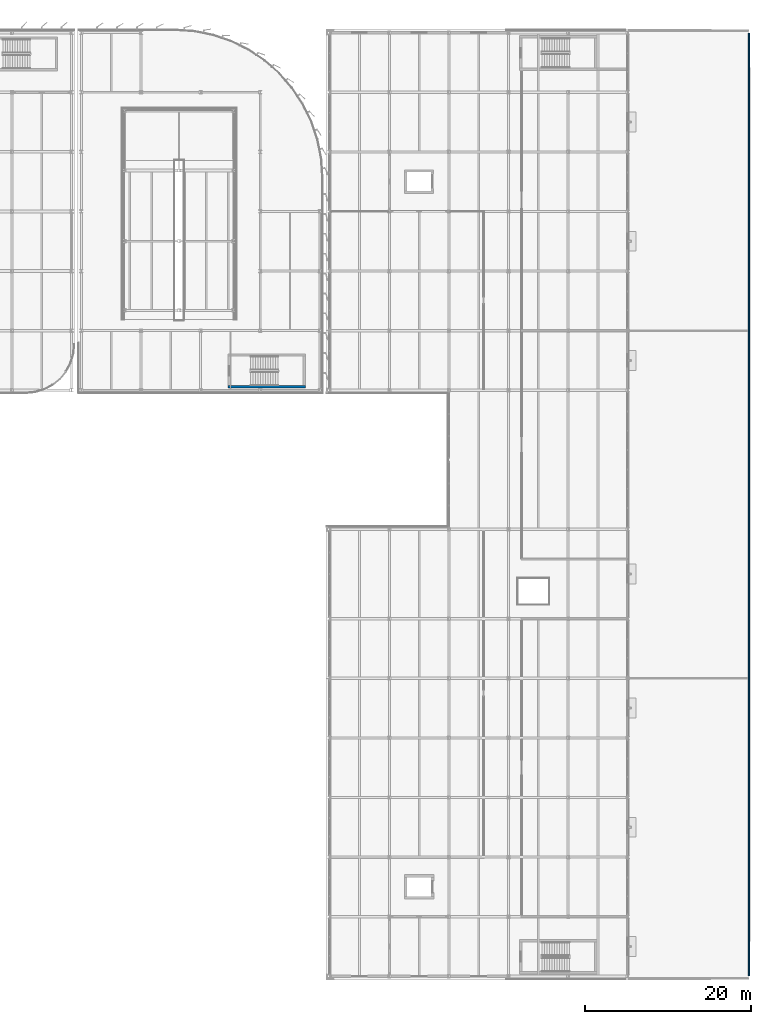
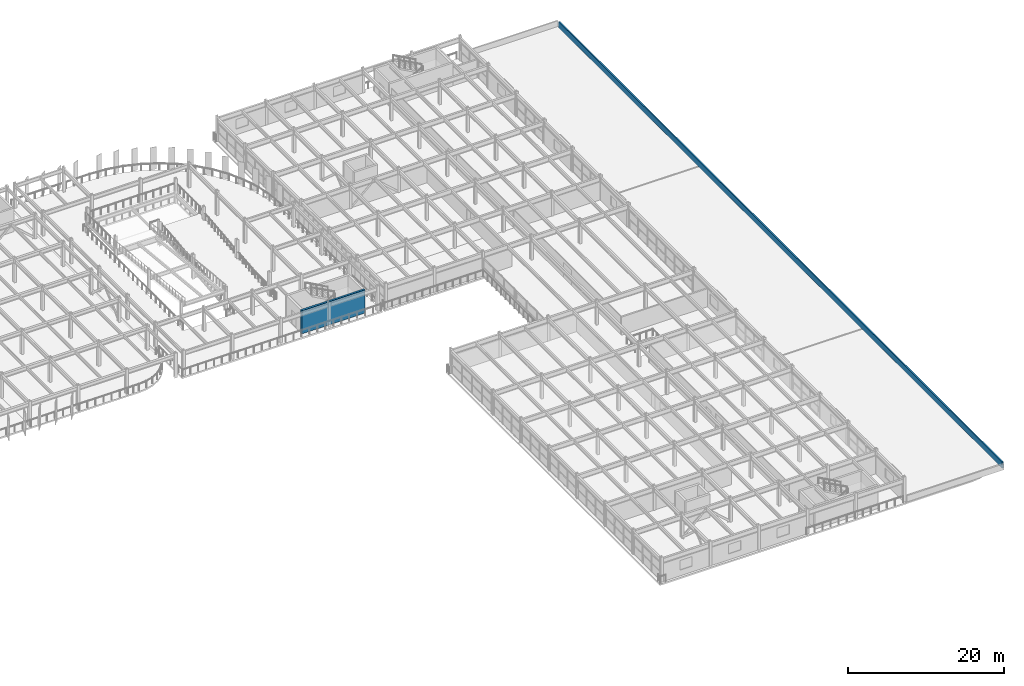
# One storey, part 55 of 80: 2 walls.
"""IFC4 building model written with IfcOpenShell, lengths in metres."""

from ifc_helpers import new_model, si_unit, direction, frame, frame_2d, origin, place, context, subcontext, project, spatial, rectangle, extrude, material, layer, layer_set, type_object, element, save


model = new_model("IFC4")

# Units and contexts
model_context = context("Model", 3, precision=1e-05, world=origin(), true_north=direction((0.0, 1.0)))
body_context = subcontext(model_context, "Body", "Model", "MODEL_VIEW")
ifc_project = project(units=[si_unit("LENGTHUNIT", "METRE"), si_unit("AREAUNIT", "SQUARE_METRE"), si_unit("VOLUMEUNIT", "CUBIC_METRE"), si_unit("PLANEANGLEUNIT", "RADIAN"), si_unit("MASSUNIT", "GRAM", prefix="KILO")], contexts=[model_context])

# Site, building, storey
site_placement = place(None, origin())
site = spatial("IfcSite", under=ifc_project, at=site_placement, CompositionType="ELEMENT")
building_placement = place(site_placement, origin())
building = spatial("IfcBuilding", under=site, at=building_placement, Name="Vaelcorin Mobility Hub", CompositionType="ELEMENT")
storey_placement = place(building_placement, frame((0.0, 0.0, 9.300048828125)))
storey = spatial("IfcBuildingStorey", under=building, at=storey_placement, Name="L02", CompositionType="ELEMENT", Elevation=9.300048828125)

# Walls
ifc_material_1 = material(Name="Reinforced concrete f'c 45 MPa", Category="concrete")
ifc_layer_1 = layer(ifc_material_1, 0.300048828125)
ifc_layer_set_1 = layer_set([ifc_layer_1], Name="Reinforced concrete f'c 45 MPa")
wall_type_1 = type_object("IfcWallType", Name="WL-CORE-300", PredefinedType="SOLIDWALL", material=ifc_layer_set_1)
wall_1_placement = place(storey_placement, frame((150.699951171875, 77.199951171875, 0.0), z_axis=(0.0, 0.0, 1.0), x_axis=(-1.0, 0.0, 0.0)))
element("IfcWall", 1, at=wall_1_placement, inside=storey, type_object=wall_type_1, Name="ST2 Fire Core Wall L02 South", PredefinedType="SOLIDWALL", context=body_context, shape_type="SweptSolid", body=[
    extrude(rectangle(XDim=9.39990234375, YDim=0.300048828125, at=frame_2d((4.699951171875, 0.0))), origin(), (0.0, 0.0, 1.0), 3.64990234375),
])
ifc_material_2 = material(Name="Insulated exterior precast concrete C40/50", Category="concrete")
ifc_layer_2 = layer(ifc_material_2, 0.199951171875)
ifc_layer_set_2 = layer_set([ifc_layer_2], Name="Insulated exterior precast concrete C40/50")
wall_type_2 = type_object("IfcWallType", Name="WL-PAR-200", PredefinedType="PARAPET", material=ifc_layer_set_2)
wall_2_placement = place(storey_placement, frame((204.25, 6.050048828125, 0.0), z_axis=(0.0, 0.0, 1.0), x_axis=(0.0, 1.0, 0.0)))
element("IfcWall", 2, at=wall_2_placement, inside=storey, type_object=wall_type_2, Name="L02 Exterior Wall PAR-V5E-E", PredefinedType="PARAPET", context=body_context, shape_type="SweptSolid", body=[
    extrude(rectangle(XDim=113.89990234375, YDim=0.199951171875, at=frame_2d((56.949951171875, 0.0))), origin(), (0.0, 0.0, 1.0), 0.949951171875),
])

save(model, "model.ifc")
